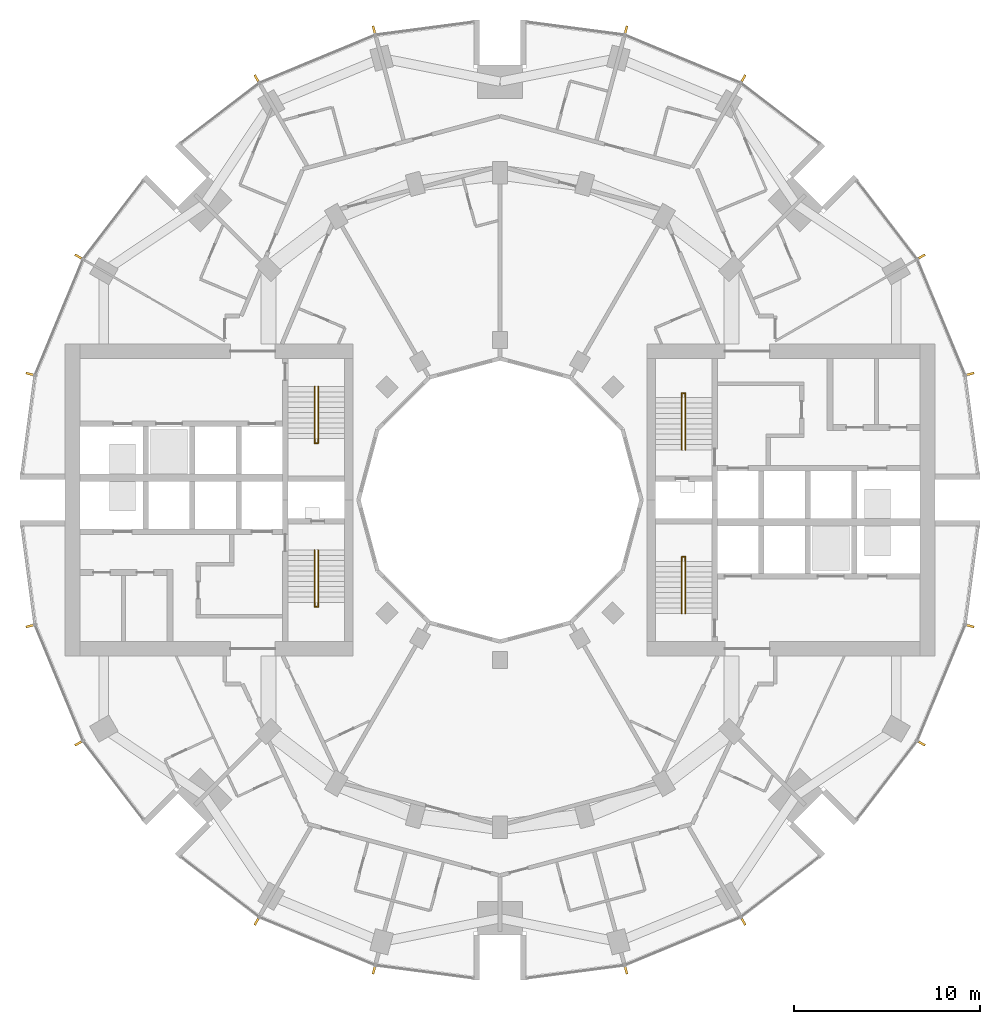
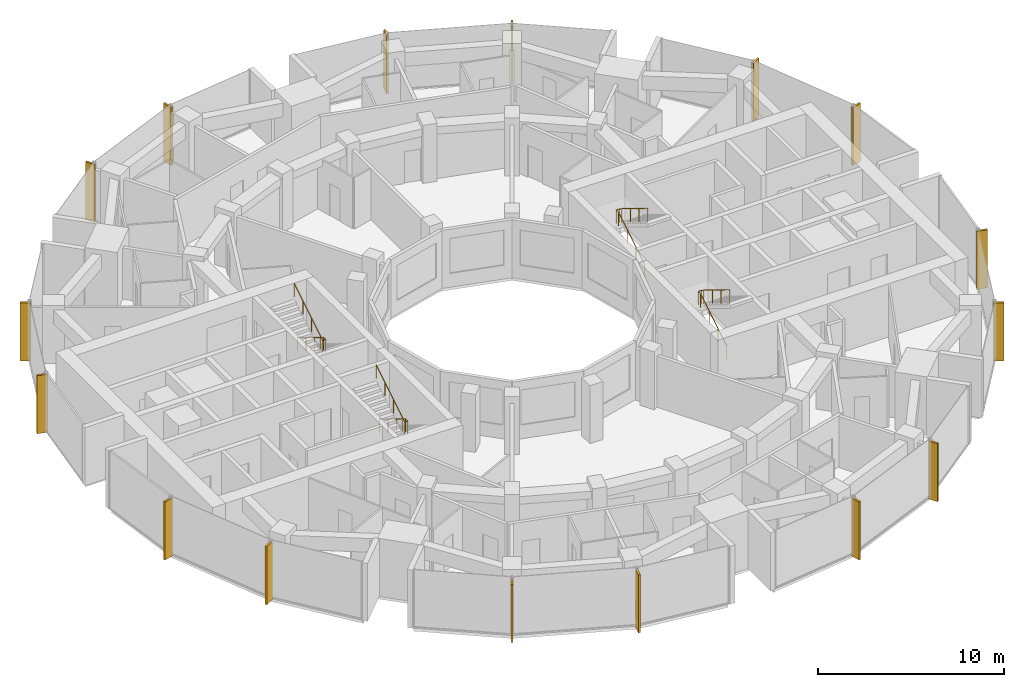
# One storey, part 14 of 15: 16 shading devices, 4 railings.
"""IFC4 building model written with IfcOpenShell, lengths in metres."""

from ifc_helpers import new_model, si_unit, direction, frame, origin, origin_2d, place, context, subcontext, project, spatial, rectangle, circle, extrude, material, material_profile, profile_set, type_object, element, save


model = new_model("IFC4")

# Units and contexts
model_context = context("Model", 3, precision=1e-05, world=origin(), true_north=direction((0.0, 1.0)))
body_context = subcontext(model_context, "Body", "Model", "MODEL_VIEW")
ifc_project = project(units=[si_unit("LENGTHUNIT", "METRE"), si_unit("AREAUNIT", "SQUARE_METRE"), si_unit("VOLUMEUNIT", "CUBIC_METRE"), si_unit("PLANEANGLEUNIT", "RADIAN"), si_unit("MASSUNIT", "GRAM", prefix="KILO")], contexts=[model_context])

# Site, building, storey
site_placement = place(None, origin())
site = spatial("IfcSite", under=ifc_project, at=site_placement, CompositionType="ELEMENT")
building_placement = place(site_placement, origin())
building = spatial("IfcBuilding", under=site, at=building_placement, Name="Torre Brocal", CompositionType="ELEMENT")
storey_placement = place(building_placement, frame((0.0, 0.0, 86.199951171875)))
storey = spatial("IfcBuildingStorey", under=building, at=storey_placement, Name="L19", CompositionType="ELEMENT", Elevation=86.199951171875)

# Shading devices
ifc_material_1 = material(Name="Aluminium, black anodised", Category="aluminium")
ifc_material_profile = material_profile(ifc_material_1, rectangle(XDim=0.1201171875, YDim=0.60009765625, at=origin_2d()), Name="FIN 120X600 3800 HIGH")
ifc_profile_set = profile_set([ifc_material_profile], Name="Aluminium, black anodised")
shading_device_type = type_object("IfcShadingDeviceType", Name="FIN 120X600 3800 HIGH", PredefinedType="USERDEFINED", material=ifc_profile_set)
for number, where, z_axis, x_axis, name in (
    (1, (105.208984375, 81.754638671875, -0.14990234375), (0.0, 0.0, 1.0), (-0.258819045103, 0.965925826289, 0.0), "FIN"),
    (2, (102.601806640625, 88.049072265625, -0.14990234375), (0.0, 0.0, 1.0), (-0.5, 0.866025403784, 0.0), "FIN"),
    (3, (93.049072265625, 97.601806640625, -0.14990234375), (0.0, 0.0, 1.0), (-0.866025403784, 0.5, 0.0), "FIN"),
    (4, (86.754638671875, 100.208984375, -0.14990234375), (0.0, 0.0, 1.0), (-0.965925826289, 0.258819045103, 0.0), "FIN"),
    (5, (73.245361328125, 100.208984375, -0.14990234375), (0.0, 0.0, 1.0), (-0.965925826289, -0.258819045103, 0.0), "FIN"),
    (6, (66.950927734375, 97.601806640625, -0.14990234375), (0.0, 0.0, 1.0), (-0.866025403784, -0.5, 0.0), "FIN"),
    (7, (57.398193359375, 88.049072265625, -0.14990234375), (0.0, 0.0, 1.0), (-0.5, -0.866025403784, 0.0), "FIN"),
    (8, (54.791015625, 81.754638671875, -0.14990234375), (0.0, 0.0, 1.0), (-0.258819045103, -0.965925826289, 0.0), "FIN"),
    (9, (54.791015625, 68.245361328125, -0.14990234375), (0.0, 0.0, 1.0), (0.258819045103, -0.965925826289, 0.0), "FIN"),
    (10, (57.398193359375, 61.950927734375, -0.14990234375), (0.0, 0.0, 1.0), (0.5, -0.866025403784, 0.0), "FIN"),
    (11, (66.950927734375, 52.398193359375, -0.14990234375), (0.0, 0.0, 1.0), (0.866025403784, -0.5, 0.0), "FIN"),
    (12, (73.245361328125, 49.791015625, -0.14990234375), (0.0, 0.0, 1.0), (0.965925826289, -0.258819045103, 0.0), "FIN"),
    (13, (86.754638671875, 49.791015625, -0.14990234375), (0.0, 0.0, 1.0), (0.965925826289, 0.258819045103, 0.0), "FIN"),
    (14, (93.049072265625, 52.398193359375, -0.14990234375), (0.0, 0.0, 1.0), (0.866025403784, 0.5, 0.0), "FIN"),
    (15, (102.601806640625, 61.950927734375, -0.14990234375), (0.0, 0.0, 1.0), (0.5, 0.866025403784, 0.0), "FIN"),
    (16, (105.208984375, 68.245361328125, -0.14990234375), (0.0, 0.0, 1.0), (0.258819045103, 0.965925826289, 0.0), "FIN"),
):
    element("IfcShadingDevice", number, at=place(storey_placement, frame(where, z_axis=z_axis, x_axis=x_axis)), inside=storey, type_object=shading_device_type, Name=name, ObjectType="FIN", PredefinedType="USERDEFINED", context=body_context, shape_type="SweptSolid", body=[
        extrude(rectangle(XDim=0.1201171875, YDim=0.60009765625, at=origin_2d()), origin(), (0.0, 0.0, 1.0), 3.800048828125),
    ])

# Railings
ifc_material_2 = material(Name="Stainless steel AISI 316", Category="steel")
railing_type = type_object("IfcRailingType", Name="STAIR HANDRAIL", PredefinedType="HANDRAIL", material=ifc_material_2)
railing_1_placement = place(storey_placement, frame((89.780029296875, 77.699951171875, 0.1728515625)))
element("IfcRailing", 17, at=railing_1_placement, inside=storey, type_object=railing_type, Name="HANDRAIL ST1", PredefinedType="HANDRAIL", context=body_context, shape_type="SweptSolid", body=[
    extrude(circle(Radius=0.02392578125, at=origin_2d()), frame((0.0, 0.0, 0.8759765625), z_axis=(0.0, 0.851089632645, 0.525020415988), x_axis=(-1.0, 0.0, 0.0)), (0.0, 0.0, 1.0), 3.2900390625),
    extrude(circle(Radius=0.02392578125, at=origin_2d()), frame((0.0, 2.800048828125, 2.60302734375), z_axis=(0.0, 1.0, 0.0), x_axis=(-1.0, 0.0, 0.0)), (0.0, 0.0, 1.0), 0.25),
    extrude(circle(Radius=0.02392578125, at=origin_2d()), frame((0.0, 3.050048828125, 2.60302734375), z_axis=(1.0, 0.0, 0.0), x_axis=(0.0, 1.0, 0.0)), (0.0, 0.0, 1.0), 0.18994140625),
    extrude(circle(Radius=0.02392578125, at=origin_2d()), frame((0.18994140625, 3.050048828125, 2.60302734375), z_axis=(0.0, -0.822914792866, 0.568164803277), x_axis=(1.0, 0.0, 0.0)), (0.0, 0.0, 1.0), 0.3037109375),
    extrude(circle(Radius=0.02392578125, at=origin_2d()), frame((0.18994140625, 2.800048828125, 2.77587890625), z_axis=(0.0, -0.851089632645, 0.525020415988), x_axis=(1.0, 0.0, 0.0)), (0.0, 0.0, 1.0), 3.2900390625),
    extrude(circle(Radius=0.02099609375, at=origin_2d()), origin(), (0.0, 0.0, 1.0), 0.851806640625),
    extrude(circle(Radius=0.02099609375, at=origin_2d()), frame((0.0, 0.933349609375, 0.57568359375)), (0.0, 0.0, 1.0), 0.851806640625),
    extrude(circle(Radius=0.02099609375, at=origin_2d()), frame((0.0, 1.86669921875, 1.151611328125)), (0.0, 0.0, 1.0), 0.851806640625),
    extrude(circle(Radius=0.02099609375, at=origin_2d()), frame((0.0, 2.800048828125, 1.727294921875)), (0.0, 0.0, 1.0), 0.851806640625),
    extrude(circle(Radius=0.02099609375, at=origin_2d()), frame((0.0, 3.050048828125, 1.727294921875)), (0.0, 0.0, 1.0), 0.851806640625),
    extrude(circle(Radius=0.02099609375, at=origin_2d()), frame((0.18994140625, 3.050048828125, 1.727294921875)), (0.0, 0.0, 1.0), 0.851806640625),
    extrude(circle(Radius=0.02099609375, at=origin_2d()), frame((0.18994140625, 2.800048828125, 1.89990234375)), (0.0, 0.0, 1.0), 0.851806640625),
    extrude(circle(Radius=0.02099609375, at=origin_2d()), frame((0.18994140625, 1.86669921875, 2.4755859375)), (0.0, 0.0, 1.0), 0.851806640625),
    extrude(circle(Radius=0.02099609375, at=origin_2d()), frame((0.18994140625, 0.933349609375, 3.051513671875)), (0.0, 0.0, 1.0), 0.851806640625),
    extrude(circle(Radius=0.02099609375, at=origin_2d()), frame((0.18994140625, 0.0, 3.627197265625)), (0.0, 0.0, 1.0), 0.851806640625),
])
railing_2_placement = place(storey_placement, frame((89.780029296875, 68.89990234375, 0.1728515625)))
element("IfcRailing", 18, at=railing_2_placement, inside=storey, type_object=railing_type, Name="HANDRAIL ST2", PredefinedType="HANDRAIL", context=body_context, shape_type="SweptSolid", body=[
    extrude(circle(Radius=0.02392578125, at=origin_2d()), frame((0.0, 0.0, 0.8759765625), z_axis=(0.0, 0.851089632645, 0.525020415988), x_axis=(-1.0, 0.0, 0.0)), (0.0, 0.0, 1.0), 3.2900390625),
    extrude(circle(Radius=0.02392578125, at=origin_2d()), frame((0.0, 2.800048828125, 2.60302734375), z_axis=(0.0, 1.0, 0.0), x_axis=(-1.0, 0.0, 0.0)), (0.0, 0.0, 1.0), 0.25),
    extrude(circle(Radius=0.02392578125, at=origin_2d()), frame((0.0, 3.050048828125, 2.60302734375), z_axis=(1.0, 0.0, 0.0), x_axis=(0.0, 1.0, 0.0)), (0.0, 0.0, 1.0), 0.18994140625),
    extrude(circle(Radius=0.02392578125, at=origin_2d()), frame((0.18994140625, 3.050048828125, 2.60302734375), z_axis=(0.0, -0.822914792866, 0.568164803277), x_axis=(1.0, 0.0, 0.0)), (0.0, 0.0, 1.0), 0.3037109375),
    extrude(circle(Radius=0.02392578125, at=origin_2d()), frame((0.18994140625, 2.800048828125, 2.77587890625), z_axis=(0.0, -0.851089632645, 0.525020415988), x_axis=(1.0, 0.0, 0.0)), (0.0, 0.0, 1.0), 3.2900390625),
    extrude(circle(Radius=0.02099609375, at=origin_2d()), origin(), (0.0, 0.0, 1.0), 0.851806640625),
    extrude(circle(Radius=0.02099609375, at=origin_2d()), frame((0.0, 0.933349609375, 0.57568359375)), (0.0, 0.0, 1.0), 0.851806640625),
    extrude(circle(Radius=0.02099609375, at=origin_2d()), frame((0.0, 1.86669921875, 1.151611328125)), (0.0, 0.0, 1.0), 0.851806640625),
    extrude(circle(Radius=0.02099609375, at=origin_2d()), frame((0.0, 2.800048828125, 1.727294921875)), (0.0, 0.0, 1.0), 0.851806640625),
    extrude(circle(Radius=0.02099609375, at=origin_2d()), frame((0.0, 3.050048828125, 1.727294921875)), (0.0, 0.0, 1.0), 0.851806640625),
    extrude(circle(Radius=0.02099609375, at=origin_2d()), frame((0.18994140625, 3.050048828125, 1.727294921875)), (0.0, 0.0, 1.0), 0.851806640625),
    extrude(circle(Radius=0.02099609375, at=origin_2d()), frame((0.18994140625, 2.800048828125, 1.89990234375)), (0.0, 0.0, 1.0), 0.851806640625),
    extrude(circle(Radius=0.02099609375, at=origin_2d()), frame((0.18994140625, 1.86669921875, 2.4755859375)), (0.0, 0.0, 1.0), 0.851806640625),
    extrude(circle(Radius=0.02099609375, at=origin_2d()), frame((0.18994140625, 0.933349609375, 3.051513671875)), (0.0, 0.0, 1.0), 0.851806640625),
    extrude(circle(Radius=0.02099609375, at=origin_2d()), frame((0.18994140625, 0.0, 3.627197265625)), (0.0, 0.0, 1.0), 0.851806640625),
])
railing_3_placement = place(storey_placement, frame((70.219970703125, 72.300048828125, 0.1728515625)))
element("IfcRailing", 19, at=railing_3_placement, inside=storey, type_object=railing_type, Name="HANDRAIL ST3", PredefinedType="HANDRAIL", context=body_context, shape_type="SweptSolid", body=[
    extrude(circle(Radius=0.02392578125, at=origin_2d()), frame((0.0, 0.0, 0.8759765625), z_axis=(0.0, -0.851089632645, 0.525020415988), x_axis=(1.0, 0.0, 0.0)), (0.0, 0.0, 1.0), 3.2900390625),
    extrude(circle(Radius=0.02392578125, at=origin_2d()), frame((0.0, -2.800048828125, 2.60302734375), z_axis=(0.0, -1.0, 0.0), x_axis=(1.0, 0.0, 0.0)), (0.0, 0.0, 1.0), 0.25),
    extrude(circle(Radius=0.02392578125, at=origin_2d()), frame((0.0, -3.050048828125, 2.60302734375), z_axis=(-1.0, 0.0, 0.0), x_axis=(0.0, -1.0, 0.0)), (0.0, 0.0, 1.0), 0.18994140625),
    extrude(circle(Radius=0.02392578125, at=origin_2d()), frame((-0.18994140625, -3.050048828125, 2.60302734375), z_axis=(0.0, 0.822914792866, 0.568164803277), x_axis=(-1.0, 0.0, 0.0)), (0.0, 0.0, 1.0), 0.3037109375),
    extrude(circle(Radius=0.02392578125, at=origin_2d()), frame((-0.18994140625, -2.800048828125, 2.77587890625), z_axis=(0.0, 0.851089632645, 0.525020415988), x_axis=(-1.0, 0.0, 0.0)), (0.0, 0.0, 1.0), 3.2900390625),
    extrude(circle(Radius=0.02099609375, at=origin_2d()), origin(), (0.0, 0.0, 1.0), 0.851806640625),
    extrude(circle(Radius=0.02099609375, at=origin_2d()), frame((0.0, -0.933349609375, 0.57568359375)), (0.0, 0.0, 1.0), 0.851806640625),
    extrude(circle(Radius=0.02099609375, at=origin_2d()), frame((0.0, -1.86669921875, 1.151611328125)), (0.0, 0.0, 1.0), 0.851806640625),
    extrude(circle(Radius=0.02099609375, at=origin_2d()), frame((0.0, -2.800048828125, 1.727294921875)), (0.0, 0.0, 1.0), 0.851806640625),
    extrude(circle(Radius=0.02099609375, at=origin_2d()), frame((0.0, -3.050048828125, 1.727294921875)), (0.0, 0.0, 1.0), 0.851806640625),
    extrude(circle(Radius=0.02099609375, at=origin_2d()), frame((-0.18994140625, -3.050048828125, 1.727294921875)), (0.0, 0.0, 1.0), 0.851806640625),
    extrude(circle(Radius=0.02099609375, at=origin_2d()), frame((-0.18994140625, -2.800048828125, 1.89990234375)), (0.0, 0.0, 1.0), 0.851806640625),
    extrude(circle(Radius=0.02099609375, at=origin_2d()), frame((-0.18994140625, -1.86669921875, 2.4755859375)), (0.0, 0.0, 1.0), 0.851806640625),
    extrude(circle(Radius=0.02099609375, at=origin_2d()), frame((-0.18994140625, -0.933349609375, 3.051513671875)), (0.0, 0.0, 1.0), 0.851806640625),
    extrude(circle(Radius=0.02099609375, at=origin_2d()), frame((-0.18994140625, 0.0, 3.627197265625)), (0.0, 0.0, 1.0), 0.851806640625),
])
railing_4_placement = place(storey_placement, frame((70.219970703125, 81.10009765625, 0.1728515625)))
element("IfcRailing", 20, at=railing_4_placement, inside=storey, type_object=railing_type, Name="HANDRAIL ST4", PredefinedType="HANDRAIL", context=body_context, shape_type="SweptSolid", body=[
    extrude(circle(Radius=0.02392578125, at=origin_2d()), frame((0.0, 0.0, 0.8759765625), z_axis=(0.0, -0.851089632645, 0.525020415988), x_axis=(1.0, 0.0, 0.0)), (0.0, 0.0, 1.0), 3.2900390625),
    extrude(circle(Radius=0.02392578125, at=origin_2d()), frame((0.0, -2.800048828125, 2.60302734375), z_axis=(0.0, -1.0, 0.0), x_axis=(1.0, 0.0, 0.0)), (0.0, 0.0, 1.0), 0.25),
    extrude(circle(Radius=0.02392578125, at=origin_2d()), frame((0.0, -3.050048828125, 2.60302734375), z_axis=(-1.0, 0.0, 0.0), x_axis=(0.0, -1.0, 0.0)), (0.0, 0.0, 1.0), 0.18994140625),
    extrude(circle(Radius=0.02392578125, at=origin_2d()), frame((-0.18994140625, -3.050048828125, 2.60302734375), z_axis=(0.0, 0.822914792866, 0.568164803277), x_axis=(-1.0, 0.0, 0.0)), (0.0, 0.0, 1.0), 0.3037109375),
    extrude(circle(Radius=0.02392578125, at=origin_2d()), frame((-0.18994140625, -2.800048828125, 2.77587890625), z_axis=(0.0, 0.851089632645, 0.525020415988), x_axis=(-1.0, 0.0, 0.0)), (0.0, 0.0, 1.0), 3.2900390625),
    extrude(circle(Radius=0.02099609375, at=origin_2d()), origin(), (0.0, 0.0, 1.0), 0.851806640625),
    extrude(circle(Radius=0.02099609375, at=origin_2d()), frame((0.0, -0.933349609375, 0.57568359375)), (0.0, 0.0, 1.0), 0.851806640625),
    extrude(circle(Radius=0.02099609375, at=origin_2d()), frame((0.0, -1.86669921875, 1.151611328125)), (0.0, 0.0, 1.0), 0.851806640625),
    extrude(circle(Radius=0.02099609375, at=origin_2d()), frame((0.0, -2.800048828125, 1.727294921875)), (0.0, 0.0, 1.0), 0.851806640625),
    extrude(circle(Radius=0.02099609375, at=origin_2d()), frame((0.0, -3.050048828125, 1.727294921875)), (0.0, 0.0, 1.0), 0.851806640625),
    extrude(circle(Radius=0.02099609375, at=origin_2d()), frame((-0.18994140625, -3.050048828125, 1.727294921875)), (0.0, 0.0, 1.0), 0.851806640625),
    extrude(circle(Radius=0.02099609375, at=origin_2d()), frame((-0.18994140625, -2.800048828125, 1.89990234375)), (0.0, 0.0, 1.0), 0.851806640625),
    extrude(circle(Radius=0.02099609375, at=origin_2d()), frame((-0.18994140625, -1.86669921875, 2.4755859375)), (0.0, 0.0, 1.0), 0.851806640625),
    extrude(circle(Radius=0.02099609375, at=origin_2d()), frame((-0.18994140625, -0.933349609375, 3.051513671875)), (0.0, 0.0, 1.0), 0.851806640625),
    extrude(circle(Radius=0.02099609375, at=origin_2d()), frame((-0.18994140625, 0.0, 3.627197265625)), (0.0, 0.0, 1.0), 0.851806640625),
])

save(model, "model.ifc")
